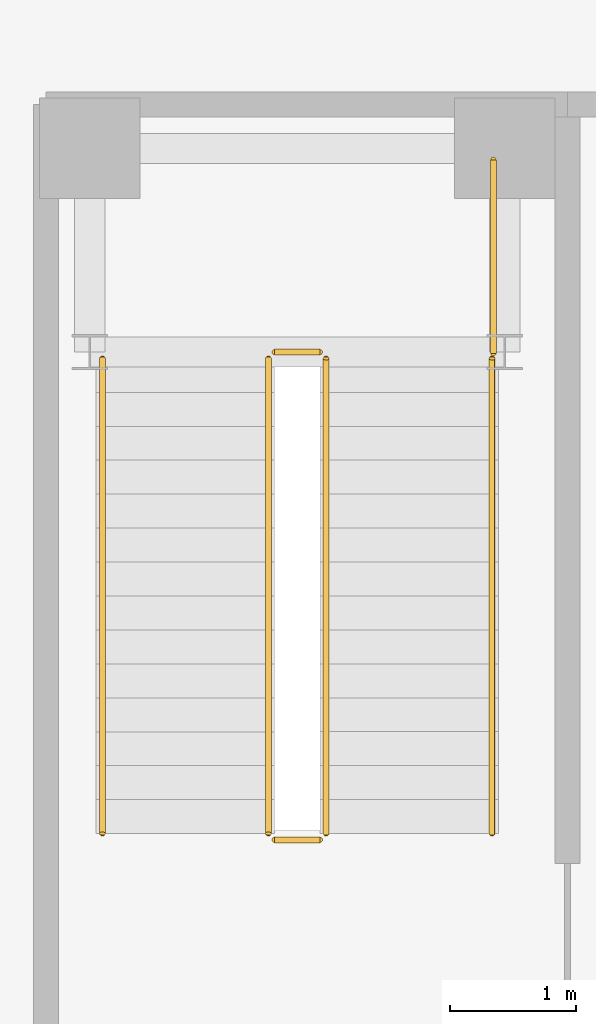
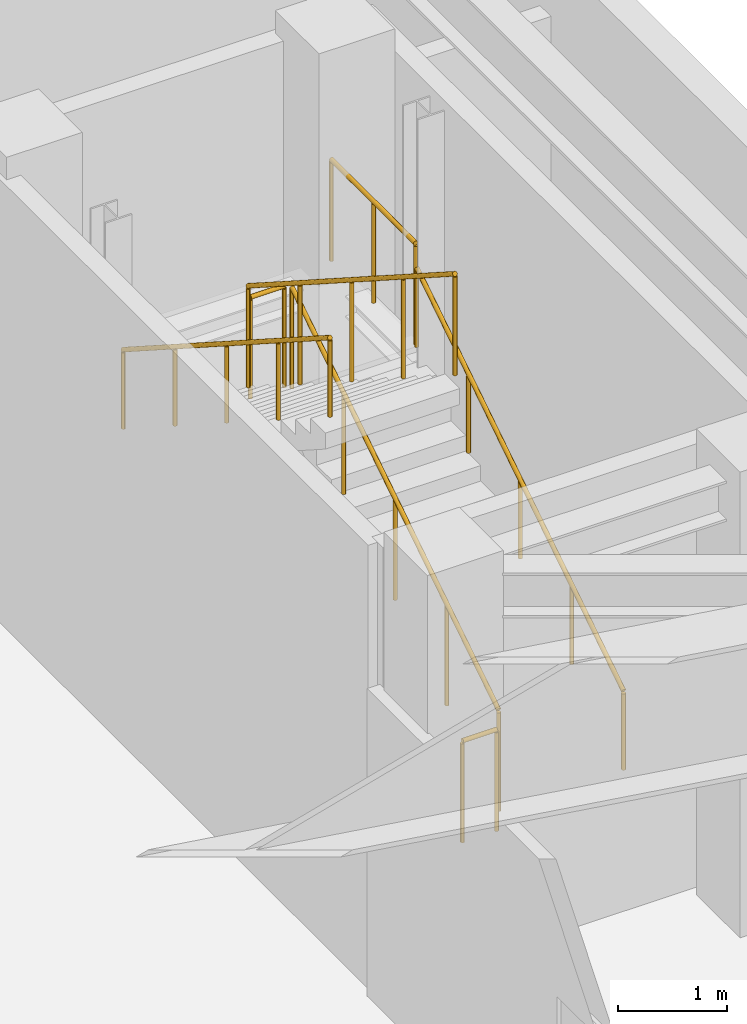
# One storey, part 29 of 30: 7 railings.
"""IFC4 building model written with IfcOpenShell, lengths in metres."""

import ifcopenshell
import ifcopenshell.guid

model = None  # the IFC model being written
_history = None  # IfcOwnerHistory: only IFC2X3 demands one
_inside = {}  # id of a spatial element -> (the spatial element, [elements in it])
_under = {}  # id of a project, library or spatial element -> (it, [spatial elements below it])
_declared = {}  # id of a project -> (the project, [libraries it declares])
_typed = {}  # id of a type object -> (the type object, [elements of that type])
_made_of = {}  # id of a material, layer set ... -> (it, [elements and type objects made of it])


def new_model(schema):
    """Start an empty IFC model of exactly this schema.

    Asked for "IFC4X3", IfcOpenShell would pick the latest addendum, in which some entities
    have other attributes; the version numbers below select the first issue.
    IFC2X3 requires an IfcOwnerHistory on every rooted entity: one is made here for all.
    """
    global model, _history
    if schema == "IFC4X3":
        model = ifcopenshell.file(schema_version=(4, 3, 0, 0))
    else:
        model = ifcopenshell.file(schema=schema)
    _inside.clear()
    _under.clear()
    _declared.clear()
    _typed.clear()
    _made_of.clear()
    _history = None
    if model.schema == "IFC2X3":
        org = make("IfcOrganization", Name="unknown")
        user = make(
            "IfcPersonAndOrganization",
            ThePerson=make("IfcPerson", FamilyName="unknown"),
            TheOrganization=org,
        )
        app = make(
            "IfcApplication",
            ApplicationDeveloper=org,
            Version="unknown",
            ApplicationFullName="unknown",
            ApplicationIdentifier="unknown",
        )
        _history = make(
            "IfcOwnerHistory",
            OwningUser=user,
            OwningApplication=app,
            ChangeAction="ADDED",
            CreationDate=0,
        )
    return model


def make(cls, **values):
    """One entity of the class cls with the attributes given. An attribute that is None is left unset."""
    return model.create_entity(
        cls, **{name: value for name, value in values.items() if value is not None}
    )


def rooted(cls, **values):
    """An entity with a GlobalId (a new one), such as an element, a storey or a relation."""
    return make(cls, GlobalId=ifcopenshell.guid.new(), OwnerHistory=_history, **values)


def si_unit(unit_type, name, prefix=None):
    """IfcSIUnit, for example si_unit("LENGTHUNIT", "METRE", prefix="MILLI")."""
    return make("IfcSIUnit", UnitType=unit_type, Prefix=prefix, Name=name)


def assignment(units):
    """IfcUnitAssignment: the units of a project."""
    return None if units is None else make("IfcUnitAssignment", Units=units)


def point(xyz):
    """IfcCartesianPoint."""
    return None if xyz is None else make("IfcCartesianPoint", Coordinates=xyz)


def direction(xyz):
    """IfcDirection."""
    return None if xyz is None else make("IfcDirection", DirectionRatios=xyz)


def frame(location, z_axis=None, x_axis=None):
    """IfcAxis2Placement3D, a coordinate frame: its origin and axes. An axis left out is left unset."""
    return make(
        "IfcAxis2Placement3D",
        Location=point(location),
        Axis=direction(z_axis),
        RefDirection=direction(x_axis),
    )


def frame_2d(location, x_axis=None):
    """IfcAxis2Placement2D, a coordinate frame in the plane: its origin and x axis."""
    return make(
        "IfcAxis2Placement2D", Location=point(location), RefDirection=direction(x_axis)
    )


def origin():
    """The frame at (0, 0, 0) with its axes left unset."""
    return frame((0.0, 0.0, 0.0))


def origin_2d():
    """The frame at (0, 0) in the plane with its x axis left unset."""
    return frame_2d((0.0, 0.0))


def place(relative_to, where):
    """IfcLocalPlacement: puts the frame where relative to a parent placement (None: the world)."""
    return make(
        "IfcLocalPlacement", PlacementRelTo=relative_to, RelativePlacement=where
    )


def context(
    kind, dimensions, precision=None, world=None, true_north=None, identifier=None
):
    """IfcGeometricRepresentationContext, for example the 3D "Model" context."""
    return make(
        "IfcGeometricRepresentationContext",
        ContextIdentifier=identifier,
        ContextType=kind,
        CoordinateSpaceDimension=dimensions,
        Precision=precision,
        WorldCoordinateSystem=world,
        TrueNorth=true_north,
    )


def subcontext(parent, identifier, kind, view, scale=None):
    """IfcGeometricRepresentationSubContext, for example "Body" below "Model"."""
    return make(
        "IfcGeometricRepresentationSubContext",
        ContextIdentifier=identifier,
        ContextType=kind,
        ParentContext=parent,
        TargetScale=scale,
        TargetView=view,
    )


def project(units=None, contexts=None):
    """IfcProject with its units and contexts."""
    return rooted(
        "IfcProject",
        Name="project",
        RepresentationContexts=contexts,
        UnitsInContext=assignment(units),
    )


def spatial(cls, under=None, at=None, **own):
    """A site, building, storey or space (cls), placed at a placement, below another one or the project."""
    s = rooted(cls, ObjectPlacement=at, **own)
    if under is not None:
        _under.setdefault(under.id(), (under, []))[1].append(s)
    return s


def profile(cls, at=None, kind="AREA", **sizes):
    """A parametric profile (cls). Its sizes go by their IFC names, for example OverallWidth=200.0."""
    return make(cls, ProfileType=kind, Position=at, **sizes)


def circle(**sizes):
    """IfcCircleProfileDef."""
    return profile("IfcCircleProfileDef", **sizes)


def extrude(swept, where, along, depth):
    """IfcExtrudedAreaSolid: the profile swept, set in the frame where, extruded along a direction by depth."""
    return make(
        "IfcExtrudedAreaSolid",
        SweptArea=swept,
        Position=where,
        ExtrudedDirection=direction(along),
        Depth=depth,
    )


def shape(context_of_items, identifier, shape_type, items):
    """IfcShapeRepresentation: the items that make up one representation, for example the "Body"."""
    return make(
        "IfcShapeRepresentation",
        ContextOfItems=context_of_items,
        RepresentationIdentifier=identifier,
        RepresentationType=shape_type,
        Items=items,
    )


def material(Name=None, Category=None):
    """IfcMaterial."""
    return make("IfcMaterial", Name=Name, Category=Category)


def layer(
    of_material, thickness, ventilated=None, Name=None, Category=None, Priority=None
):
    """IfcMaterialLayer: one layer of a wall or slab, of a material (None: an air gap)."""
    return make(
        "IfcMaterialLayer",
        Material=of_material,
        LayerThickness=thickness,
        IsVentilated=ventilated,
        Name=Name,
        Category=Category,
        Priority=Priority,
    )


def layer_set(layers, Name=None):
    """IfcMaterialLayerSet."""
    return make("IfcMaterialLayerSet", MaterialLayers=layers, LayerSetName=Name)


def made_of(thing, what):
    """Note that an element or type object is made of a material, layer set ...; save() writes the relation."""
    if what is not None:
        _made_of.setdefault(what.id(), (what, []))[1].append(thing)
    return thing


def type_object(cls, material=None, **own):
    """A type object (cls), such as IfcWallType, which elements share."""
    return made_of(rooted(cls, **own), material)


def element(
    cls,
    number,
    at=None,
    inside=None,
    cuts=None,
    type_object=None,
    material=None,
    context=None,
    identifier="Body",
    shape_type=None,
    held_by="IfcProductDefinitionShape",
    body=None,
    shapes=None,
    **own,
):
    """One element of the class cls, such as IfcWall. Its Tag is "e" and its number.

    at: its placement. inside: the storey or other place that contains it. cuts: it is an
    opening in that element (IfcRelVoidsElement). A single representation is given by context,
    identifier, shape_type and body (its items); several are given by shapes. held_by: the class
    of the entity that holds the representations. save() writes the other relations.
    """
    e = rooted(cls, Tag="e%d" % number, ObjectPlacement=at, **own)
    if body is not None:
        shapes = [shape(context, identifier, shape_type, body)]
    if shapes is not None:
        e.Representation = make(held_by, Representations=shapes)
    if inside is not None:
        _inside.setdefault(inside.id(), (inside, []))[1].append(e)
    if cuts is not None:
        rooted(
            "IfcRelVoidsElement", RelatingBuildingElement=cuts, RelatedOpeningElement=e
        )
    if type_object is not None:
        _typed.setdefault(type_object.id(), (type_object, []))[1].append(e)
    return made_of(e, material)


def aggregate(whole, parts):
    """IfcRelAggregates: a whole, such as a stair, and the parts it consists of."""
    return rooted("IfcRelAggregates", RelatingObject=whole, RelatedObjects=parts)


def save(model, path):
    """Write the relations noted so far, then the file.

    IfcRelAggregates (storeys below a building ...), IfcRelContainedInSpatialStructure (elements
    in a storey), IfcRelDefinesByType, IfcRelAssociatesMaterial and IfcRelDeclares: one each for
    every whole, place, type object, material and project.
    """
    for whole, parts in _under.values():
        aggregate(whole, parts)
    for where, things in _inside.values():
        rooted(
            "IfcRelContainedInSpatialStructure",
            RelatedElements=things,
            RelatingStructure=where,
        )
    for kind, things in _typed.values():
        rooted("IfcRelDefinesByType", RelatedObjects=things, RelatingType=kind)
    for what, things in _made_of.values():
        rooted("IfcRelAssociatesMaterial", RelatedObjects=things, RelatingMaterial=what)
    for by, libraries in _declared.values():
        rooted("IfcRelDeclares", RelatingContext=by, RelatedDefinitions=libraries)
    model.write(path)


model = new_model("IFC4")

# Units and contexts
model_context = context("Model", 3, precision=1e-05, world=origin(), true_north=direction((0.0, 1.0)))
body_context = subcontext(model_context, "Body", "Model", "MODEL_VIEW")
ifc_project = project(units=[si_unit("LENGTHUNIT", "METRE"), si_unit("AREAUNIT", "SQUARE_METRE"), si_unit("VOLUMEUNIT", "CUBIC_METRE"), si_unit("PLANEANGLEUNIT", "RADIAN"), si_unit("MASSUNIT", "GRAM", prefix="KILO")], contexts=[model_context])

# Site, building, storey
site_placement = place(None, origin())
site = spatial("IfcSite", under=ifc_project, at=site_placement, CompositionType="ELEMENT")
building_placement = place(site_placement, origin())
building = spatial("IfcBuilding", under=site, at=building_placement, Name="Terralouvre Media Tower", CompositionType="ELEMENT")
storey_placement = place(building_placement, origin())
storey = spatial("IfcBuildingStorey", under=building, at=storey_placement, Name="L00", CompositionType="ELEMENT", Elevation=0.0)

# Railings
ifc_material_1 = material(Name="Stainless steel 316 handrail and balustrade", Category="steel")
ifc_layer_1 = layer(ifc_material_1, 0.050048828125, Name="Stair Flight Wall Handrail HR-INT1")
ifc_layer_set_1 = layer_set([ifc_layer_1], Name="Stainless steel 316 handrail and balustrade")
railing_type_1 = type_object("IfcRailingType", Name="Stair Flight Wall Handrail HR-INT1", PredefinedType="HANDRAIL", material=ifc_layer_set_1)
railing_1_placement = place(storey_placement, frame((34.14990234375, 5.85009765625, 0.17333984375)))
element("IfcRailing", 1, at=railing_1_placement, inside=storey, type_object=railing_type_1, Name="L00 ST-04 stair handrail 1", PredefinedType="HANDRAIL", context=body_context, shape_type="SweptSolid", body=[
    extrude(circle(Radius=0.02392578125, at=origin_2d()), frame((0.0, 0.0, 0.8759765625), z_axis=(0.0, 0.841492677865, 0.540268519441), x_axis=(-1.0, 0.0, 0.0)), (0.0, 0.0, 1.0), 4.49169921875),
    extrude(circle(Radius=0.02099609375, at=origin_2d()), origin(), (0.0, 0.0, 1.0), 0.851806640625),
    extrude(circle(Radius=0.02099609375, at=origin_2d()), frame((0.0, 0.94482421875, 0.606689453125)), (0.0, 0.0, 1.0), 0.851806640625),
    extrude(circle(Radius=0.02099609375, at=origin_2d()), frame((0.0, 1.889892578125, 1.21337890625)), (0.0, 0.0, 1.0), 0.851806640625),
    extrude(circle(Radius=0.02099609375, at=origin_2d()), frame((0.0, 2.8349609375, 1.820068359375)), (0.0, 0.0, 1.0), 0.851806640625),
    extrude(circle(Radius=0.02099609375, at=origin_2d()), frame((0.0, 3.77978515625, 2.4267578125)), (0.0, 0.0, 1.0), 0.851806640625),
])
railing_2_placement = place(storey_placement, frame((31.050048828125, 9.6298828125, 2.7734375)))
element("IfcRailing", 2, at=railing_2_placement, inside=storey, type_object=railing_type_1, Name="L00 ST-04 stair handrail 2", PredefinedType="HANDRAIL", context=body_context, shape_type="SweptSolid", body=[
    extrude(circle(Radius=0.02392578125, at=origin_2d()), frame((0.0, 0.0, 0.8759765625), z_axis=(0.0, -0.84151738831, 0.540230029868), x_axis=(1.0, 0.0, 0.0)), (0.0, 0.0, 1.0), 4.49169921875),
    extrude(circle(Radius=0.02099609375, at=origin_2d()), origin(), (0.0, 0.0, 1.0), 0.851806640625),
    extrude(circle(Radius=0.02099609375, at=origin_2d()), frame((0.0, -0.94482421875, 0.606689453125)), (0.0, 0.0, 1.0), 0.851806640625),
    extrude(circle(Radius=0.02099609375, at=origin_2d()), frame((0.0, -1.889892578125, 1.21337890625)), (0.0, 0.0, 1.0), 0.851806640625),
    extrude(circle(Radius=0.02099609375, at=origin_2d()), frame((0.0, -2.8349609375, 1.81982421875)), (0.0, 0.0, 1.0), 0.851806640625),
    extrude(circle(Radius=0.02099609375, at=origin_2d()), frame((0.0, -3.77978515625, 2.426513671875)), (0.0, 0.0, 1.0), 0.851806640625),
])
ifc_material_2 = material(Name="Stainless steel 316 handrail and balustrade", Category="steel")
ifc_layer_2 = layer(ifc_material_2, 0.050048828125, Name="Stairwell Safety Guardrail GR-INT1")
ifc_layer_set_2 = layer_set([ifc_layer_2], Name="Stainless steel 316 handrail and balustrade")
railing_type_2 = type_object("IfcRailingType", Name="Stairwell Safety Guardrail GR-INT1", PredefinedType="GUARDRAIL", material=ifc_layer_set_2)
railing_3_placement = place(storey_placement, frame((32.830078125, 5.85009765625, 0.17333984375)))
element("IfcRailing", 3, at=railing_3_placement, inside=storey, type_object=railing_type_2, Name="L00 ST-04 stair guard 1", PredefinedType="GUARDRAIL", context=body_context, shape_type="SweptSolid", body=[
    extrude(circle(Radius=0.02392578125, at=origin_2d()), frame((0.0, 0.0, 1.1259765625), z_axis=(0.0, 0.841492677865, 0.540268519441), x_axis=(-1.0, 0.0, 0.0)), (0.0, 0.0, 1.0), 4.49169921875),
    extrude(circle(Radius=0.02099609375, at=origin_2d()), origin(), (0.0, 0.0, 1.0), 1.101806640625),
    extrude(circle(Radius=0.02099609375, at=origin_2d()), frame((0.0, 0.94482421875, 0.606689453125)), (0.0, 0.0, 1.0), 1.101806640625),
    extrude(circle(Radius=0.02099609375, at=origin_2d()), frame((0.0, 1.889892578125, 1.21337890625)), (0.0, 0.0, 1.0), 1.101806640625),
    extrude(circle(Radius=0.02099609375, at=origin_2d()), frame((0.0, 2.8349609375, 1.820068359375)), (0.0, 0.0, 1.0), 1.101806640625),
    extrude(circle(Radius=0.02099609375, at=origin_2d()), frame((0.0, 3.77978515625, 2.4267578125)), (0.0, 0.0, 1.0), 1.101806640625),
])
railing_4_placement = place(storey_placement, frame((32.780029296875, 9.679931640625, 2.60009765625)))
element("IfcRailing", 4, at=railing_4_placement, inside=storey, type_object=railing_type_2, Name="L00 ST-04 stair guard 2", PredefinedType="GUARDRAIL", context=body_context, shape_type="SweptSolid", body=[
    extrude(circle(Radius=0.02392578125, at=origin_2d()), frame((0.0, 0.0, 1.1259765625), z_axis=(-1.0, 0.0, 0.0), x_axis=(0.0, -1.0, 0.0)), (0.0, 0.0, 1.0), 0.360107421875),
    extrude(circle(Radius=0.02099609375, at=origin_2d()), origin(), (0.0, 0.0, 1.0), 1.101806640625),
    extrude(circle(Radius=0.02099609375, at=origin_2d()), frame((-0.360107421875, 0.0, 0.0)), (0.0, 0.0, 1.0), 1.101806640625),
])
railing_5_placement = place(storey_placement, frame((32.3701171875, 9.6298828125, 2.7734375)))
element("IfcRailing", 5, at=railing_5_placement, inside=storey, type_object=railing_type_2, Name="L00 ST-04 stair guard 3", PredefinedType="GUARDRAIL", context=body_context, shape_type="SweptSolid", body=[
    extrude(circle(Radius=0.02392578125, at=origin_2d()), frame((0.0, 0.0, 1.1259765625), z_axis=(0.0, -0.84151738831, 0.540230029868), x_axis=(1.0, 0.0, 0.0)), (0.0, 0.0, 1.0), 4.49169921875),
    extrude(circle(Radius=0.02099609375, at=origin_2d()), origin(), (0.0, 0.0, 1.0), 1.101806640625),
    extrude(circle(Radius=0.02099609375, at=origin_2d()), frame((0.0, -0.94482421875, 0.606689453125)), (0.0, 0.0, 1.0), 1.101806640625),
    extrude(circle(Radius=0.02099609375, at=origin_2d()), frame((0.0, -1.889892578125, 1.21337890625)), (0.0, 0.0, 1.0), 1.101806640625),
    extrude(circle(Radius=0.02099609375, at=origin_2d()), frame((0.0, -2.8349609375, 1.81982421875)), (0.0, 0.0, 1.0), 1.101806640625),
    extrude(circle(Radius=0.02099609375, at=origin_2d()), frame((0.0, -3.77978515625, 2.426513671875)), (0.0, 0.0, 1.0), 1.101806640625),
])
railing_6_placement = place(storey_placement, frame((32.780029296875, 5.800048828125, 0.0)))
element("IfcRailing", 6, at=railing_6_placement, inside=storey, type_object=railing_type_2, Name="L00 ST-04 stair guard 4", PredefinedType="GUARDRAIL", context=body_context, shape_type="SweptSolid", body=[
    extrude(circle(Radius=0.02392578125, at=origin_2d()), frame((0.0, 0.0, 1.1259765625), z_axis=(-1.0, 0.0, 0.0), x_axis=(0.0, -1.0, 0.0)), (0.0, 0.0, 1.0), 0.360107421875),
    extrude(circle(Radius=0.02099609375, at=origin_2d()), origin(), (0.0, 0.0, 1.0), 1.101806640625),
    extrude(circle(Radius=0.02099609375, at=origin_2d()), frame((-0.360107421875, 0.0, 0.0)), (0.0, 0.0, 1.0), 1.101806640625),
])
railing_7_placement = place(storey_placement, frame((34.159912109375, 9.669921875, 2.60009765625)))
element("IfcRailing", 7, at=railing_7_placement, inside=storey, type_object=railing_type_2, Name="L00 ST-04 Half-Landing Outer Guardrail", PredefinedType="GUARDRAIL", context=body_context, shape_type="SweptSolid", body=[
    extrude(circle(Radius=0.02392578125, at=origin_2d()), frame((0.0, 0.0, 1.1259765625), z_axis=(0.0, 1.0, 0.0), x_axis=(-1.0, 0.0, 0.0)), (0.0, 0.0, 1.0), 1.5400390625),
    extrude(circle(Radius=0.02099609375, at=origin_2d()), origin(), (0.0, 0.0, 1.0), 1.101806640625),
    extrude(circle(Radius=0.02099609375, at=origin_2d()), frame((0.0, 0.77001953125, 0.0)), (0.0, 0.0, 1.0), 1.101806640625),
    extrude(circle(Radius=0.02099609375, at=origin_2d()), frame((0.0, 1.5400390625, 0.0)), (0.0, 0.0, 1.0), 1.101806640625),
])

save(model, "model.ifc")
